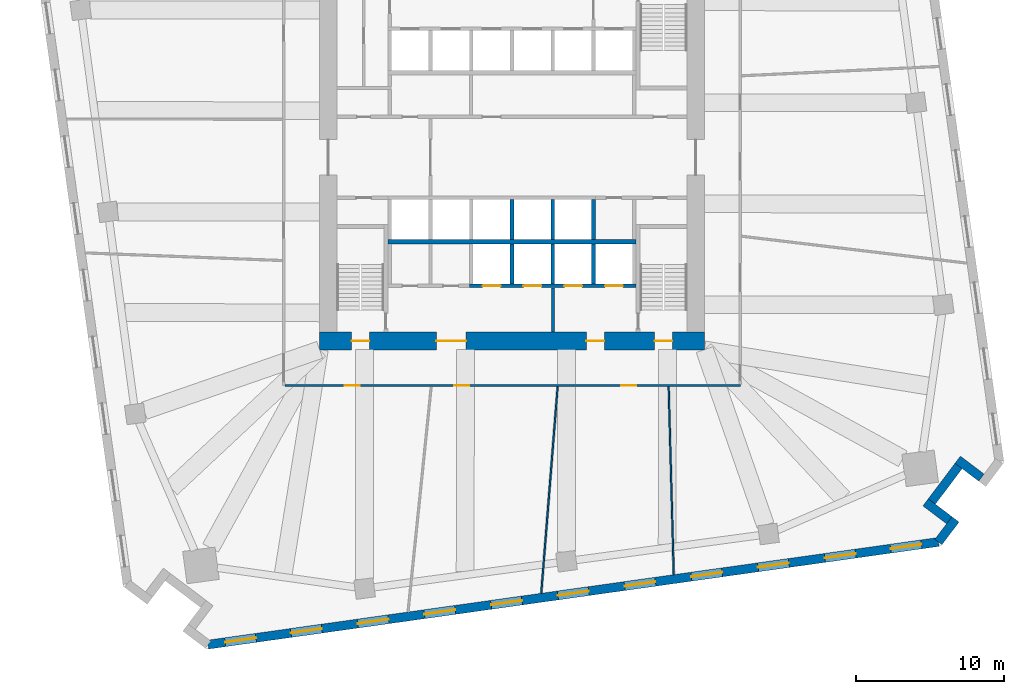
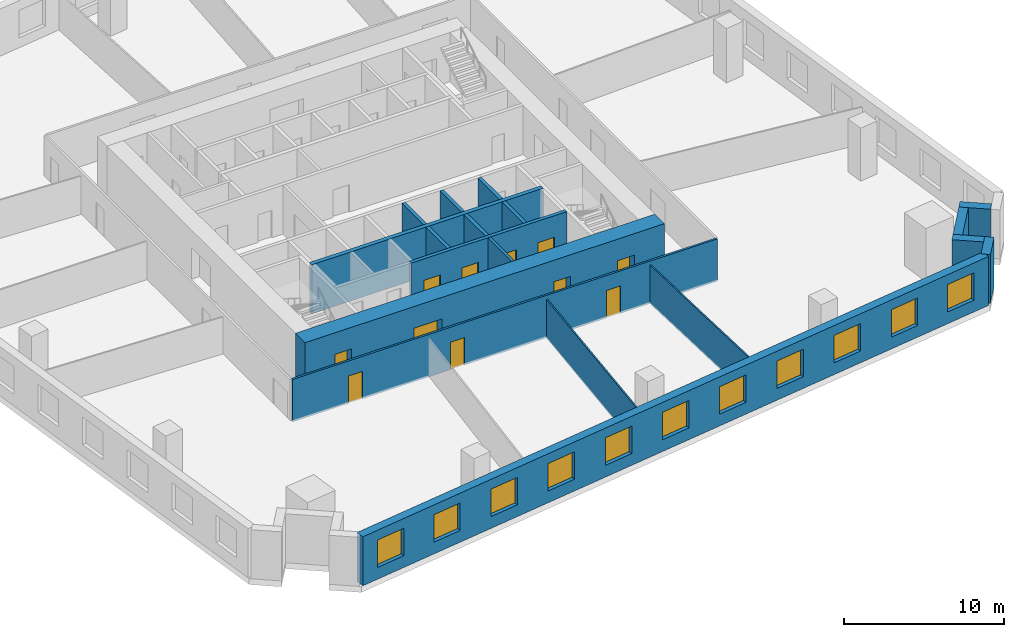
# One storey, part 6 of 12: 18 walls, 11 doors, 11 windows, 22 openings.
"""IFC4 building model written with IfcOpenShell, lengths in metres."""

from ifc_helpers import new_model, si_unit, direction, frame, frame_2d, origin, place, context, subcontext, project, spatial, rectangle, extrude, material, layer, layer_set, type_object, element, fill, save


model = new_model("IFC4")

# Units and contexts
model_context = context("Model", 3, precision=1e-05, world=origin(), true_north=direction((0.0, 1.0)))
body_context = subcontext(model_context, "Body", "Model", "MODEL_VIEW")
ifc_project = project(units=[si_unit("LENGTHUNIT", "METRE"), si_unit("AREAUNIT", "SQUARE_METRE"), si_unit("VOLUMEUNIT", "CUBIC_METRE"), si_unit("PLANEANGLEUNIT", "RADIAN"), si_unit("MASSUNIT", "GRAM", prefix="KILO")], contexts=[model_context])

# Site, building, storey
site_placement = place(None, origin())
site = spatial("IfcSite", under=ifc_project, at=site_placement, CompositionType="ELEMENT")
building_placement = place(site_placement, origin())
building = spatial("IfcBuilding", under=site, at=building_placement, Name="Dilmun Exchange Tower", CompositionType="ELEMENT")
storey_placement = place(building_placement, frame((0.0, 0.0, 55.5)))
storey = spatial("IfcBuildingStorey", under=building, at=storey_placement, Name="L12", CompositionType="ELEMENT", Elevation=55.5)

# Wall
ifc_material_1 = material(Name="Concrete C40/50", Category="concrete")
ifc_layer_1 = layer(ifc_material_1, 0.199951171875)
ifc_layer_set_1 = layer_set([ifc_layer_1], Name="Concrete C40/50")
wall_type_1 = type_object("IfcWallType", Name="Core partition wall 200", PredefinedType="PARTITIONING", material=ifc_layer_set_1)
wall_1_placement = place(storey_placement, frame((2.75, -11.794921875, 0.0), z_axis=(0.0, 0.0, 1.0), x_axis=(0.0, 1.0, 0.0)))
element("IfcWall", 1, at=wall_1_placement, inside=storey, type_object=wall_type_1, Name="L12 core partition wall 01", PredefinedType="PARTITIONING", context=body_context, shape_type="SweptSolid", body=[
    extrude(rectangle(XDim=2.989990234375, YDim=0.199951171875, at=frame_2d((1.4951171875, 0.0))), origin(), (0.0, 0.0, 1.0), 3.75),
])

# Wall, openings, doors
ifc_material_2 = material(Name="Concrete C80/95", Category="concrete")
ifc_layer_2 = layer(ifc_material_2, 1.199951171875)
ifc_layer_set_2 = layer_set([ifc_layer_2], Name="Concrete C80/95")
wall_type_2 = type_object("IfcWallType", Name="Core shear wall 1200 Concrete C80/95", PredefinedType="SHEAR", material=ifc_layer_set_2)
wall_2_placement = place(storey_placement, frame((-13.0, -12.39990234375, 0.0), z_axis=(0.0, 0.0, 1.0), x_axis=(1.0, 0.0, 0.0)))
wall_2 = element("IfcWall", 2, at=wall_2_placement, inside=storey, type_object=wall_type_2, Name="L12 core shear wall S", PredefinedType="SHEAR", context=body_context, shape_type="SweptSolid", body=[
    extrude(rectangle(XDim=26.0, YDim=1.199951171875, at=frame_2d((13.0, 0.0))), origin(), (0.0, 0.0, 1.0), 3.75),
])
opening_1_placement = place(wall_2_placement, frame((7.89990234375, 0.0, 0.0)))
opening_1 = element("IfcOpeningElement", 3, at=opening_1_placement, cuts=wall_2, Name="Opening CD2", PredefinedType="OPENING", context=body_context, shape_type="SweptSolid", body=[
    extrude(rectangle(XDim=2.0, YDim=2.10009765625, at=frame_2d((1.0, 1.050048828125))), frame((0.0, 0.60986328125, 0.0), z_axis=(0.0, -1.0, 0.0), x_axis=(1.0, 0.0, 0.0)), (0.0, 0.0, 1.0), 1.219970703125),
])
opening_2_placement = place(wall_2_placement, frame((18.02490234375, 0.0, 0.0)))
opening_2 = element("IfcOpeningElement", 4, at=opening_2_placement, cuts=wall_2, Name="Opening CD3", PredefinedType="OPENING", context=body_context, shape_type="SweptSolid", body=[
    extrude(rectangle(XDim=1.199951171875, YDim=2.10009765625, at=frame_2d((0.60009765625, 1.050048828125))), frame((0.0, 0.60986328125, 0.0), z_axis=(0.0, -1.0, 0.0), x_axis=(1.0, 0.0, 0.0)), (0.0, 0.0, 1.0), 1.219970703125),
])
opening_3_placement = place(wall_2_placement, frame((2.175048828125, 0.0, 0.0)))
opening_3 = element("IfcOpeningElement", 5, at=opening_3_placement, cuts=wall_2, Name="Opening CD3", PredefinedType="OPENING", context=body_context, shape_type="SweptSolid", body=[
    extrude(rectangle(XDim=1.199951171875, YDim=2.10009765625, at=frame_2d((0.60009765625, 1.050048828125))), frame((0.0, 0.60986328125, 0.0), z_axis=(0.0, -1.0, 0.0), x_axis=(1.0, 0.0, 0.0)), (0.0, 0.0, 1.0), 1.219970703125),
])
opening_4_placement = place(wall_2_placement, frame((22.625, 0.0, 0.0)))
opening_4 = element("IfcOpeningElement", 6, at=opening_4_placement, cuts=wall_2, Name="Opening CD3", PredefinedType="OPENING", context=body_context, shape_type="SweptSolid", body=[
    extrude(rectangle(XDim=1.199951171875, YDim=2.10009765625, at=frame_2d((0.60009765625, 1.050048828125))), frame((0.0, 0.60986328125, 0.0), z_axis=(0.0, -1.0, 0.0), x_axis=(1.0, 0.0, 0.0)), (0.0, 0.0, 1.0), 1.219970703125),
])
ifc_material_3 = material(Name="Fire-rated steel door set", Category="steel")
door_type_1 = type_object("IfcDoorType", Name="Core service door 2000x2100", OperationType="DOUBLE_DOOR_DOUBLE_SWING", PredefinedType="DOOR", material=ifc_material_3)
door_1_placement = place(opening_1_placement, origin())
door_1 = element("IfcDoor", 7, at=door_1_placement, inside=storey, type_object=door_type_1, Name="L12 door South service lobby", OperationType="SINGLE_SWING_LEFT", OverallHeight=2.10009765625, OverallWidth=2.0, PredefinedType="DOOR", context=body_context, shape_type="SweptSolid", body=[
    extrude(rectangle(XDim=2.0, YDim=2.10009765625, at=frame_2d((1.0, 1.050048828125))), frame((0.0, 0.02490234375, 0.0), z_axis=(0.0, -1.0, 0.0), x_axis=(1.0, 0.0, 0.0)), (0.0, 0.0, 1.0), 0.050048828125),
])
fill(opening_1, door_1)
door_type_2 = type_object("IfcDoorType", Name="Stair exit door 1200x2100", OperationType="SINGLE_SWING_LEFT", PredefinedType="DOOR", material=ifc_material_3)
door_2_placement = place(opening_2_placement, origin())
door_2 = element("IfcDoor", 8, at=door_2_placement, inside=storey, type_object=door_type_2, Name="L12 door Fire-fighting lobby", OperationType="SINGLE_SWING_LEFT", OverallHeight=2.10009765625, OverallWidth=1.199951171875, PredefinedType="DOOR", context=body_context, shape_type="SweptSolid", body=[
    extrude(rectangle(XDim=1.199951171875, YDim=2.10009765625, at=frame_2d((0.60009765625, 1.050048828125))), frame((0.0, 0.02490234375, 0.0), z_axis=(0.0, -1.0, 0.0), x_axis=(1.0, 0.0, 0.0)), (0.0, 0.0, 1.0), 0.050048828125),
])
fill(opening_2, door_2)
door_3_placement = place(opening_3_placement, origin())
door_3 = element("IfcDoor", 9, at=door_3_placement, inside=storey, type_object=door_type_2, Name="L12 door Stair ST2", OperationType="SINGLE_SWING_LEFT", OverallHeight=2.10009765625, OverallWidth=1.199951171875, PredefinedType="DOOR", context=body_context, shape_type="SweptSolid", body=[
    extrude(rectangle(XDim=1.199951171875, YDim=2.10009765625, at=frame_2d((0.60009765625, 1.050048828125))), frame((0.0, 0.02490234375, 0.0), z_axis=(0.0, -1.0, 0.0), x_axis=(1.0, 0.0, 0.0)), (0.0, 0.0, 1.0), 0.050048828125),
])
fill(opening_3, door_3)
door_4_placement = place(opening_4_placement, origin())
door_4 = element("IfcDoor", 10, at=door_4_placement, inside=storey, type_object=door_type_2, Name="L12 door Stair ST3", OperationType="SINGLE_SWING_LEFT", OverallHeight=2.10009765625, OverallWidth=1.199951171875, PredefinedType="DOOR", context=body_context, shape_type="SweptSolid", body=[
    extrude(rectangle(XDim=1.199951171875, YDim=2.10009765625, at=frame_2d((0.60009765625, 1.050048828125))), frame((0.0, 0.02490234375, 0.0), z_axis=(0.0, -1.0, 0.0), x_axis=(1.0, 0.0, 0.0)), (0.0, 0.0, 1.0), 0.050048828125),
])
fill(opening_4, door_4)

ifc_material_4 = material(Name="Corridor wall 150")
ifc_layer_3 = layer(ifc_material_4, 0.14990234375)
ifc_layer_set_3 = layer_set([ifc_layer_3], Name="Corridor wall 150")
wall_type_3 = type_object("IfcWallType", Name="Corridor wall 150", PredefinedType="PARTITIONING", material=ifc_layer_set_3)
wall_3_placement = place(storey_placement, frame((-15.324951171875, -15.39990234375, 0.0), z_axis=(0.0, 0.0, 1.0), x_axis=(1.0, 0.0, 0.0)))
wall_3 = element("IfcWall", 11, at=wall_3_placement, inside=storey, type_object=wall_type_3, Name="Corridor wall", PredefinedType="PARTITIONING", context=body_context, shape_type="SweptSolid", body=[
    extrude(rectangle(XDim=30.724853515625, YDim=0.14990234375, at=frame_2d((15.3623046875, 0.0))), origin(), (0.0, 0.0, 1.0), 3.25),
])
opening_5_placement = place(wall_3_placement, frame((4.050048828125, 0.0, 0.0)))
opening_5 = element("IfcOpeningElement", 12, at=opening_5_placement, cuts=wall_3, Name="Opening TF11-D06", PredefinedType="OPENING", context=body_context, shape_type="SweptSolid", body=[
    extrude(rectangle(XDim=1.0, YDim=2.10009765625, at=frame_2d((0.5, 1.050048828125))), frame((0.0, 0.0849609375, 0.0), z_axis=(0.0, -1.0, 0.0), x_axis=(1.0, 0.0, 0.0)), (0.0, 0.0, 1.0), 0.169921875),
])
opening_6_placement = place(wall_3_placement, frame((11.427978515625, 0.0, 0.0)))
opening_6 = element("IfcOpeningElement", 13, at=opening_6_placement, cuts=wall_3, Name="Opening TF11-D08", PredefinedType="OPENING", context=body_context, shape_type="SweptSolid", body=[
    extrude(rectangle(XDim=1.0, YDim=2.10009765625, at=frame_2d((0.5, 1.050048828125))), frame((0.0, 0.0849609375, 0.0), z_axis=(0.0, -1.0, 0.0), x_axis=(1.0, 0.0, 0.0)), (0.0, 0.0, 1.0), 0.169921875),
])
opening_7_placement = place(wall_3_placement, frame((22.707275390625, 0.0, 0.0)))
opening_7 = element("IfcOpeningElement", 14, at=opening_7_placement, cuts=wall_3, Name="Opening TF11-D10", PredefinedType="OPENING", context=body_context, shape_type="SweptSolid", body=[
    extrude(rectangle(XDim=1.0, YDim=2.10009765625, at=frame_2d((0.5, 1.050048828125))), frame((0.0, 0.0849609375, 0.0), z_axis=(0.0, -1.0, 0.0), x_axis=(1.0, 0.0, 0.0)), (0.0, 0.0, 1.0), 0.169921875),
])
ifc_material_5 = material(Name="Fire door 1000 x 2100")
door_type_3 = type_object("IfcDoorType", Name="Fire door 1000 x 2100", OperationType="NOTDEFINED", PredefinedType="DOOR", material=ifc_material_5)
door_5_placement = place(opening_5_placement, frame((1.0, 0.0, 0.0), z_axis=(0.0, 0.0, 1.0), x_axis=(-1.0, 0.0, 0.0)))
door_5 = element("IfcDoor", 15, at=door_5_placement, inside=storey, type_object=door_type_3, Name="Door TF11-D06", OperationType="SINGLE_SWING_LEFT", OverallHeight=2.10009765625, OverallWidth=1.0, PredefinedType="DOOR", context=body_context, shape_type="SweptSolid", body=[
    extrude(rectangle(XDim=1.0, YDim=2.10009765625, at=frame_2d((0.5, 1.050048828125))), frame((0.0, 0.02490234375, 0.0), z_axis=(0.0, -1.0, 0.0), x_axis=(1.0, 0.0, 0.0)), (0.0, 0.0, 1.0), 0.050048828125),
])
fill(opening_5, door_5)
door_6_placement = place(opening_6_placement, frame((1.0, 0.0, 0.0), z_axis=(0.0, 0.0, 1.0), x_axis=(-1.0, 0.0, 0.0)))
door_6 = element("IfcDoor", 16, at=door_6_placement, inside=storey, type_object=door_type_3, Name="Door TF11-D08", OperationType="SINGLE_SWING_RIGHT", OverallHeight=2.10009765625, OverallWidth=1.0, PredefinedType="DOOR", context=body_context, shape_type="SweptSolid", body=[
    extrude(rectangle(XDim=1.0, YDim=2.10009765625, at=frame_2d((0.5, 1.050048828125))), frame((0.0, 0.02490234375, 0.0), z_axis=(0.0, -1.0, 0.0), x_axis=(1.0, 0.0, 0.0)), (0.0, 0.0, 1.0), 0.050048828125),
])
fill(opening_6, door_6)
door_7_placement = place(opening_7_placement, frame((1.0, 0.0, 0.0), z_axis=(0.0, 0.0, 1.0), x_axis=(-1.0, 0.0, 0.0)))
door_7 = element("IfcDoor", 17, at=door_7_placement, inside=storey, type_object=door_type_3, Name="Door TF11-D10", OperationType="SINGLE_SWING_LEFT", OverallHeight=2.10009765625, OverallWidth=1.0, PredefinedType="DOOR", context=body_context, shape_type="SweptSolid", body=[
    extrude(rectangle(XDim=1.0, YDim=2.10009765625, at=frame_2d((0.5, 1.050048828125))), frame((0.0, 0.02490234375, 0.0), z_axis=(0.0, -1.0, 0.0), x_axis=(1.0, 0.0, 0.0)), (0.0, 0.0, 1.0), 0.050048828125),
])
fill(opening_7, door_7)

# Walls
ifc_layer_4 = layer(ifc_material_1, 0.300048828125)
ifc_layer_set_4 = layer_set([ifc_layer_4], Name="Concrete C40/50")
wall_type_4 = type_object("IfcWallType", Name="Lift shaft shared wall 300", PredefinedType="SOLIDWALL", material=ifc_layer_set_4)
wall_4_placement = place(storey_placement, frame((-8.375, -5.699951171875, 0.0), z_axis=(0.0, 0.0, 1.0), x_axis=(1.0, 0.0, 0.0)))
element("IfcWall", 18, at=wall_4_placement, inside=storey, type_object=wall_type_4, Name="L12 lift shaft rear wall S", PredefinedType="SOLIDWALL", context=body_context, shape_type="SweptSolid", body=[
    extrude(rectangle(XDim=16.75, YDim=0.300048828125, at=frame_2d((8.375, 0.0))), origin(), (0.0, 0.0, 1.0), 3.75),
])
ifc_layer_5 = layer(ifc_material_1, 0.25)
ifc_layer_set_5 = layer_set([ifc_layer_5], Name="Concrete C40/50")
wall_type_5 = type_object("IfcWallType", Name="Lift shaft wall 250", PredefinedType="SOLIDWALL", material=ifc_layer_set_5)
for number, where, z_axis, x_axis, name in (
    (19, (0.0, -5.550048828125, 0.0), (0.0, 0.0, 1.0), (0.0, 1.0, 0.0), "L12 lift shaft divider S13"),
    (20, (2.75, -5.550048828125, 0.0), (0.0, 0.0, 1.0), (0.0, 1.0, 0.0), "L12 lift shaft divider S14"),
    (21, (5.5, -5.550048828125, 0.0), (0.0, 0.0, 1.0), (0.0, 1.0, 0.0), "L12 lift shaft divider S15"),
):
    element("IfcWall", number, at=place(storey_placement, frame(where, z_axis=z_axis, x_axis=x_axis)), inside=storey, type_object=wall_type_5, Name=name, PredefinedType="SOLIDWALL", context=body_context, shape_type="SweptSolid", body=[
        extrude(rectangle(XDim=2.699951171875, YDim=0.25, at=frame_2d((1.35009765625, 0.0))), origin(), (0.0, 0.0, 1.0), 3.75),
    ])

# Wall, openings, doors
wall_5_placement = place(storey_placement, frame((-2.875, -8.675048828125, 0.0), z_axis=(0.0, 0.0, 1.0), x_axis=(1.0, 0.0, 0.0)))
wall_5 = element("IfcWall", 22, at=wall_5_placement, inside=storey, type_object=wall_type_5, Name="L12 lift shaft front wall S2", PredefinedType="SOLIDWALL", context=body_context, shape_type="SweptSolid", body=[
    extrude(rectangle(XDim=11.25, YDim=0.25, at=frame_2d((5.625, 0.0))), origin(), (0.0, 0.0, 1.0), 3.75),
])
opening_8_placement = place(wall_5_placement, frame((0.89990234375, 0.0, 0.0)))
opening_8 = element("IfcOpeningElement", 23, at=opening_8_placement, cuts=wall_5, Name="Opening LD", PredefinedType="OPENING", context=body_context, shape_type="SweptSolid", body=[
    extrude(rectangle(XDim=1.199951171875, YDim=2.10009765625, at=frame_2d((0.60009765625, 1.050048828125))), frame((0.0, 0.135009765625, 0.0), z_axis=(0.0, -1.0, 0.0), x_axis=(1.0, 0.0, 0.0)), (0.0, 0.0, 1.0), 0.27001953125),
])
opening_9_placement = place(wall_5_placement, frame((3.64990234375, 0.0, 0.0)))
opening_9 = element("IfcOpeningElement", 24, at=opening_9_placement, cuts=wall_5, Name="Opening LD", PredefinedType="OPENING", context=body_context, shape_type="SweptSolid", body=[
    extrude(rectangle(XDim=1.199951171875, YDim=2.10009765625, at=frame_2d((0.60009765625, 1.050048828125))), frame((0.0, 0.135009765625, 0.0), z_axis=(0.0, -1.0, 0.0), x_axis=(1.0, 0.0, 0.0)), (0.0, 0.0, 1.0), 0.27001953125),
])
opening_10_placement = place(wall_5_placement, frame((6.39990234375, 0.0, 0.0)))
opening_10 = element("IfcOpeningElement", 25, at=opening_10_placement, cuts=wall_5, Name="Opening LD", PredefinedType="OPENING", context=body_context, shape_type="SweptSolid", body=[
    extrude(rectangle(XDim=1.199951171875, YDim=2.10009765625, at=frame_2d((0.60009765625, 1.050048828125))), frame((0.0, 0.135009765625, 0.0), z_axis=(0.0, -1.0, 0.0), x_axis=(1.0, 0.0, 0.0)), (0.0, 0.0, 1.0), 0.27001953125),
])
opening_11_placement = place(wall_5_placement, frame((9.14990234375, 0.0, 0.0)))
opening_11 = element("IfcOpeningElement", 26, at=opening_11_placement, cuts=wall_5, Name="Opening LD", PredefinedType="OPENING", context=body_context, shape_type="SweptSolid", body=[
    extrude(rectangle(XDim=1.199951171875, YDim=2.10009765625, at=frame_2d((0.60009765625, 1.050048828125))), frame((0.0, 0.135009765625, 0.0), z_axis=(0.0, -1.0, 0.0), x_axis=(1.0, 0.0, 0.0)), (0.0, 0.0, 1.0), 0.27001953125),
])
door_type_4 = type_object("IfcDoorType", Name="Lift landing door 1200x2100", OperationType="DOUBLE_DOOR_SLIDING", PredefinedType="DOOR", material=ifc_material_3)
door_8_placement = place(opening_8_placement, origin())
door_8 = element("IfcDoor", 27, at=door_8_placement, inside=storey, type_object=door_type_4, Name="L12 landing door SV1", OperationType="DOUBLE_DOOR_SLIDING", OverallHeight=2.10009765625, OverallWidth=1.199951171875, PredefinedType="DOOR", context=body_context, shape_type="SweptSolid", body=[
    extrude(rectangle(XDim=1.199951171875, YDim=2.10009765625, at=frame_2d((0.60009765625, 1.050048828125))), frame((0.0, 0.02490234375, 0.0), z_axis=(0.0, -1.0, 0.0), x_axis=(1.0, 0.0, 0.0)), (0.0, 0.0, 1.0), 0.050048828125),
])
fill(opening_8, door_8)
door_9_placement = place(opening_9_placement, origin())
door_9 = element("IfcDoor", 28, at=door_9_placement, inside=storey, type_object=door_type_4, Name="L12 landing door SV2", OperationType="DOUBLE_DOOR_SLIDING", OverallHeight=2.10009765625, OverallWidth=1.199951171875, PredefinedType="DOOR", context=body_context, shape_type="SweptSolid", body=[
    extrude(rectangle(XDim=1.199951171875, YDim=2.10009765625, at=frame_2d((0.60009765625, 1.050048828125))), frame((0.0, 0.02490234375, 0.0), z_axis=(0.0, -1.0, 0.0), x_axis=(1.0, 0.0, 0.0)), (0.0, 0.0, 1.0), 0.050048828125),
])
fill(opening_9, door_9)
door_10_placement = place(opening_10_placement, origin())
door_10 = element("IfcDoor", 29, at=door_10_placement, inside=storey, type_object=door_type_4, Name="L12 landing door FF1", OperationType="DOUBLE_DOOR_SLIDING", OverallHeight=2.10009765625, OverallWidth=1.199951171875, PredefinedType="DOOR", context=body_context, shape_type="SweptSolid", body=[
    extrude(rectangle(XDim=1.199951171875, YDim=2.10009765625, at=frame_2d((0.60009765625, 1.050048828125))), frame((0.0, 0.02490234375, 0.0), z_axis=(0.0, -1.0, 0.0), x_axis=(1.0, 0.0, 0.0)), (0.0, 0.0, 1.0), 0.050048828125),
])
fill(opening_10, door_10)
door_11_placement = place(opening_11_placement, origin())
door_11 = element("IfcDoor", 30, at=door_11_placement, inside=storey, type_object=door_type_4, Name="L12 landing door FF2", OperationType="DOUBLE_DOOR_SLIDING", OverallHeight=2.10009765625, OverallWidth=1.199951171875, PredefinedType="DOOR", context=body_context, shape_type="SweptSolid", body=[
    extrude(rectangle(XDim=1.199951171875, YDim=2.10009765625, at=frame_2d((0.60009765625, 1.050048828125))), frame((0.0, 0.02490234375, 0.0), z_axis=(0.0, -1.0, 0.0), x_axis=(1.0, 0.0, 0.0)), (0.0, 0.0, 1.0), 0.050048828125),
])
fill(opening_11, door_11)

# Walls
for number, where, z_axis, x_axis, name in (
    (31, (0.0, -8.550048828125, 0.0), (0.0, 0.0, 1.0), (0.0, 1.0, 0.0), "L12 lift shaft divider S23"),
    (32, (2.75, -8.550048828125, 0.0), (0.0, 0.0, 1.0), (0.0, 1.0, 0.0), "L12 lift shaft divider S24"),
    (33, (5.5, -8.550048828125, 0.0), (0.0, 0.0, 1.0), (0.0, 1.0, 0.0), "L12 lift shaft divider S25"),
):
    element("IfcWall", number, at=place(storey_placement, frame(where, z_axis=z_axis, x_axis=x_axis)), inside=storey, type_object=wall_type_5, Name=name, PredefinedType="SOLIDWALL", context=body_context, shape_type="SweptSolid", body=[
        extrude(rectangle(XDim=2.699951171875, YDim=0.25, at=frame_2d((1.35009765625, 0.0))), origin(), (0.0, 0.0, 1.0), 3.75),
    ])
ifc_material_6 = material(Name="Partition 100")
ifc_layer_6 = layer(ifc_material_6, 0.10009765625)
ifc_layer_set_6 = layer_set([ifc_layer_6], Name="Partition 100")
wall_type_6 = type_object("IfcWallType", Name="Partition 100", PredefinedType="PARTITIONING", material=ifc_layer_set_6)
wall_6_placement = place(storey_placement, frame((1.972900390625, -29.40966796875, 0.0), z_axis=(0.0, 0.0, 1.0), x_axis=(0.079123741472, 0.996864802035, 0.0)))
element("IfcWall", 34, at=wall_6_placement, inside=storey, type_object=wall_type_6, Name="Partition", PredefinedType="PARTITIONING", context=body_context, shape_type="SweptSolid", body=[
    extrude(rectangle(XDim=13.974365234375, YDim=0.10009765625, at=frame_2d((6.9873046875, 0.0))), origin(), (0.0, 0.0, 1.0), 2.949951171875),
])
wall_7_placement = place(storey_placement, frame((10.566162109375, -15.476318359375, 0.0), z_axis=(0.0, 0.0, 1.0), x_axis=(0.027144021526, -0.999631533164, 0.0)))
element("IfcWall", 35, at=wall_7_placement, inside=storey, type_object=wall_type_6, Name="Partition", PredefinedType="PARTITIONING", context=body_context, shape_type="SweptSolid", body=[
    extrude(rectangle(XDim=12.681884765625, YDim=0.10009765625, at=frame_2d((6.3408203125, 0.0))), origin(), (0.0, 0.0, 1.0), 2.949951171875),
])

# Wall, openings, windows
ifc_material_7 = material(Name="Precast concrete C50/60", Category="concrete")
ifc_layer_7 = layer(ifc_material_7, 0.60009765625)
ifc_layer_set_7 = layer_set([ifc_layer_7], Name="Precast concrete C50/60")
wall_type_7 = type_object("IfcWallType", Name="Precast stone-clad wall 600", PredefinedType="STANDARD", material=ifc_layer_set_7)
wall_8_placement = place(storey_placement, frame((-20.500244140625, -32.873046875, 0.0), z_axis=(0.0, 0.0, 1.0), x_axis=(0.990268068675, 0.139173101431, 0.0)))
wall_8 = element("IfcWall", 36, at=wall_8_placement, inside=storey, type_object=wall_type_7, Name="Facade wall L12-15", PredefinedType="STANDARD", context=body_context, shape_type="SweptSolid", body=[
    extrude(rectangle(XDim=49.75146484375, YDim=0.60009765625, at=frame_2d((24.875732421875, 0.0))), origin(), (0.0, 0.0, 1.0), 3.75),
])
opening_12_placement = place(wall_8_placement, frame((1.16064453125, 0.0, 0.89990234375)))
opening_12 = element("IfcOpeningElement", 37, at=opening_12_placement, cuts=wall_8, Name="Opening W210-210", PredefinedType="OPENING", context=body_context, shape_type="SweptSolid", body=[
    extrude(rectangle(XDim=2.10009765625, YDim=2.10009765625, at=frame_2d((1.050048828125, 1.050048828125))), frame((0.0, 0.31005859375, 0.0), z_axis=(0.0, -1.0, 0.0), x_axis=(1.0, 0.0, 0.0)), (0.0, 0.0, 1.0), 0.6201171875),
])
opening_13_placement = place(wall_8_placement, frame((5.643798828125, 0.0, 0.89990234375)))
opening_13 = element("IfcOpeningElement", 38, at=opening_13_placement, cuts=wall_8, Name="Opening W210-210", PredefinedType="OPENING", context=body_context, shape_type="SweptSolid", body=[
    extrude(rectangle(XDim=2.10009765625, YDim=2.10009765625, at=frame_2d((1.050048828125, 1.050048828125))), frame((0.0, 0.31005859375, 0.0), z_axis=(0.0, -1.0, 0.0), x_axis=(1.0, 0.0, 0.0)), (0.0, 0.0, 1.0), 0.6201171875),
])
opening_14_placement = place(wall_8_placement, frame((10.189453125, 0.0, 0.89990234375)))
opening_14 = element("IfcOpeningElement", 39, at=opening_14_placement, cuts=wall_8, Name="Opening W210-210", PredefinedType="OPENING", context=body_context, shape_type="SweptSolid", body=[
    extrude(rectangle(XDim=2.10009765625, YDim=2.10009765625, at=frame_2d((1.050048828125, 1.050048828125))), frame((0.0, 0.31005859375, 0.0), z_axis=(0.0, -1.0, 0.0), x_axis=(1.0, 0.0, 0.0)), (0.0, 0.0, 1.0), 0.6201171875),
])
opening_15_placement = place(wall_8_placement, frame((14.73486328125, 0.0, 0.89990234375)))
opening_15 = element("IfcOpeningElement", 40, at=opening_15_placement, cuts=wall_8, Name="Opening W210-210", PredefinedType="OPENING", context=body_context, shape_type="SweptSolid", body=[
    extrude(rectangle(XDim=2.10009765625, YDim=2.10009765625, at=frame_2d((1.050048828125, 1.050048828125))), frame((0.0, 0.31005859375, 0.0), z_axis=(0.0, -1.0, 0.0), x_axis=(1.0, 0.0, 0.0)), (0.0, 0.0, 1.0), 0.6201171875),
])
opening_16_placement = place(wall_8_placement, frame((19.2802734375, 0.0, 0.89990234375)))
opening_16 = element("IfcOpeningElement", 41, at=opening_16_placement, cuts=wall_8, Name="Opening W210-210", PredefinedType="OPENING", context=body_context, shape_type="SweptSolid", body=[
    extrude(rectangle(XDim=2.10009765625, YDim=2.10009765625, at=frame_2d((1.050048828125, 1.050048828125))), frame((0.0, 0.31005859375, 0.0), z_axis=(0.0, -1.0, 0.0), x_axis=(1.0, 0.0, 0.0)), (0.0, 0.0, 1.0), 0.6201171875),
])
opening_17_placement = place(wall_8_placement, frame((23.82568359375, 0.0, 0.89990234375)))
opening_17 = element("IfcOpeningElement", 42, at=opening_17_placement, cuts=wall_8, Name="Opening W210-210", PredefinedType="OPENING", context=body_context, shape_type="SweptSolid", body=[
    extrude(rectangle(XDim=2.10009765625, YDim=2.10009765625, at=frame_2d((1.050048828125, 1.050048828125))), frame((0.0, 0.31005859375, 0.0), z_axis=(0.0, -1.0, 0.0), x_axis=(1.0, 0.0, 0.0)), (0.0, 0.0, 1.0), 0.6201171875),
])
opening_18_placement = place(wall_8_placement, frame((28.37109375, 0.0, 0.89990234375)))
opening_18 = element("IfcOpeningElement", 43, at=opening_18_placement, cuts=wall_8, Name="Opening W210-210", PredefinedType="OPENING", context=body_context, shape_type="SweptSolid", body=[
    extrude(rectangle(XDim=2.10009765625, YDim=2.10009765625, at=frame_2d((1.050048828125, 1.050048828125))), frame((0.0, 0.31005859375, 0.0), z_axis=(0.0, -1.0, 0.0), x_axis=(1.0, 0.0, 0.0)), (0.0, 0.0, 1.0), 0.6201171875),
])
opening_19_placement = place(wall_8_placement, frame((32.91650390625, 0.0, 0.89990234375)))
opening_19 = element("IfcOpeningElement", 44, at=opening_19_placement, cuts=wall_8, Name="Opening W210-210", PredefinedType="OPENING", context=body_context, shape_type="SweptSolid", body=[
    extrude(rectangle(XDim=2.10009765625, YDim=2.10009765625, at=frame_2d((1.050048828125, 1.050048828125))), frame((0.0, 0.31005859375, 0.0), z_axis=(0.0, -1.0, 0.0), x_axis=(1.0, 0.0, 0.0)), (0.0, 0.0, 1.0), 0.6201171875),
])
opening_20_placement = place(wall_8_placement, frame((37.462158203125, 0.0, 0.89990234375)))
opening_20 = element("IfcOpeningElement", 45, at=opening_20_placement, cuts=wall_8, Name="Opening W210-210", PredefinedType="OPENING", context=body_context, shape_type="SweptSolid", body=[
    extrude(rectangle(XDim=2.10009765625, YDim=2.10009765625, at=frame_2d((1.050048828125, 1.050048828125))), frame((0.0, 0.31005859375, 0.0), z_axis=(0.0, -1.0, 0.0), x_axis=(1.0, 0.0, 0.0)), (0.0, 0.0, 1.0), 0.6201171875),
])
opening_21_placement = place(wall_8_placement, frame((42.007568359375, 0.0, 0.89990234375)))
opening_21 = element("IfcOpeningElement", 46, at=opening_21_placement, cuts=wall_8, Name="Opening W210-210", PredefinedType="OPENING", context=body_context, shape_type="SweptSolid", body=[
    extrude(rectangle(XDim=2.10009765625, YDim=2.10009765625, at=frame_2d((1.050048828125, 1.050048828125))), frame((0.0, 0.31005859375, 0.0), z_axis=(0.0, -1.0, 0.0), x_axis=(1.0, 0.0, 0.0)), (0.0, 0.0, 1.0), 0.6201171875),
])
opening_22_placement = place(wall_8_placement, frame((46.490966796875, 0.0, 0.89990234375)))
opening_22 = element("IfcOpeningElement", 47, at=opening_22_placement, cuts=wall_8, Name="Opening W210-210", PredefinedType="OPENING", context=body_context, shape_type="SweptSolid", body=[
    extrude(rectangle(XDim=2.10009765625, YDim=2.10009765625, at=frame_2d((1.050048828125, 1.050048828125))), frame((0.0, 0.31005859375, 0.0), z_axis=(0.0, -1.0, 0.0), x_axis=(1.0, 0.0, 0.0)), (0.0, 0.0, 1.0), 0.6201171875),
])
ifc_material_8 = material(Name="Clear low-emissivity glass in aluminium frame", Category="aluminium")
window_type = type_object("IfcWindowType", Name="Punched window 2100 x 2100", PartitioningType="DOUBLE_PANEL_VERTICAL", PredefinedType="WINDOW", material=ifc_material_8)
window_1_placement = place(opening_12_placement, origin())
window_1 = element("IfcWindow", 48, at=window_1_placement, inside=storey, type_object=window_type, Name="Window 16.1", OverallHeight=2.10009765625, OverallWidth=2.10009765625, PartitioningType="SINGLE_PANEL", PredefinedType="WINDOW", context=body_context, shape_type="SweptSolid", body=[
    extrude(rectangle(XDim=2.10009765625, YDim=2.10009765625, at=frame_2d((1.050048828125, 1.050048828125))), frame((0.0, 0.030029296875, 0.0), z_axis=(0.0, -1.0, 0.0), x_axis=(1.0, 0.0, 0.0)), (0.0, 0.0, 1.0), 0.06005859375),
])
fill(opening_12, window_1)
window_2_placement = place(opening_13_placement, origin())
window_2 = element("IfcWindow", 49, at=window_2_placement, inside=storey, type_object=window_type, Name="Window 16.2", OverallHeight=2.10009765625, OverallWidth=2.10009765625, PartitioningType="SINGLE_PANEL", PredefinedType="WINDOW", context=body_context, shape_type="SweptSolid", body=[
    extrude(rectangle(XDim=2.10009765625, YDim=2.10009765625, at=frame_2d((1.050048828125, 1.050048828125))), frame((0.0, 0.030029296875, 0.0), z_axis=(0.0, -1.0, 0.0), x_axis=(1.0, 0.0, 0.0)), (0.0, 0.0, 1.0), 0.06005859375),
])
fill(opening_13, window_2)
window_3_placement = place(opening_14_placement, origin())
window_3 = element("IfcWindow", 50, at=window_3_placement, inside=storey, type_object=window_type, Name="Window 16.3", OverallHeight=2.10009765625, OverallWidth=2.10009765625, PartitioningType="SINGLE_PANEL", PredefinedType="WINDOW", context=body_context, shape_type="SweptSolid", body=[
    extrude(rectangle(XDim=2.10009765625, YDim=2.10009765625, at=frame_2d((1.050048828125, 1.050048828125))), frame((0.0, 0.030029296875, 0.0), z_axis=(0.0, -1.0, 0.0), x_axis=(1.0, 0.0, 0.0)), (0.0, 0.0, 1.0), 0.06005859375),
])
fill(opening_14, window_3)
window_4_placement = place(opening_15_placement, origin())
window_4 = element("IfcWindow", 51, at=window_4_placement, inside=storey, type_object=window_type, Name="Window 16.4", OverallHeight=2.10009765625, OverallWidth=2.10009765625, PartitioningType="SINGLE_PANEL", PredefinedType="WINDOW", context=body_context, shape_type="SweptSolid", body=[
    extrude(rectangle(XDim=2.10009765625, YDim=2.10009765625, at=frame_2d((1.050048828125, 1.050048828125))), frame((0.0, 0.030029296875, 0.0), z_axis=(0.0, -1.0, 0.0), x_axis=(1.0, 0.0, 0.0)), (0.0, 0.0, 1.0), 0.06005859375),
])
fill(opening_15, window_4)
window_5_placement = place(opening_16_placement, origin())
window_5 = element("IfcWindow", 52, at=window_5_placement, inside=storey, type_object=window_type, Name="Window 16.5", OverallHeight=2.10009765625, OverallWidth=2.10009765625, PartitioningType="SINGLE_PANEL", PredefinedType="WINDOW", context=body_context, shape_type="SweptSolid", body=[
    extrude(rectangle(XDim=2.10009765625, YDim=2.10009765625, at=frame_2d((1.050048828125, 1.050048828125))), frame((0.0, 0.030029296875, 0.0), z_axis=(0.0, -1.0, 0.0), x_axis=(1.0, 0.0, 0.0)), (0.0, 0.0, 1.0), 0.06005859375),
])
fill(opening_16, window_5)
window_6_placement = place(opening_17_placement, origin())
window_6 = element("IfcWindow", 53, at=window_6_placement, inside=storey, type_object=window_type, Name="Window 16.6", OverallHeight=2.10009765625, OverallWidth=2.10009765625, PartitioningType="SINGLE_PANEL", PredefinedType="WINDOW", context=body_context, shape_type="SweptSolid", body=[
    extrude(rectangle(XDim=2.10009765625, YDim=2.10009765625, at=frame_2d((1.050048828125, 1.050048828125))), frame((0.0, 0.030029296875, 0.0), z_axis=(0.0, -1.0, 0.0), x_axis=(1.0, 0.0, 0.0)), (0.0, 0.0, 1.0), 0.06005859375),
])
fill(opening_17, window_6)
window_7_placement = place(opening_18_placement, origin())
window_7 = element("IfcWindow", 54, at=window_7_placement, inside=storey, type_object=window_type, Name="Window 16.7", OverallHeight=2.10009765625, OverallWidth=2.10009765625, PartitioningType="SINGLE_PANEL", PredefinedType="WINDOW", context=body_context, shape_type="SweptSolid", body=[
    extrude(rectangle(XDim=2.10009765625, YDim=2.10009765625, at=frame_2d((1.050048828125, 1.050048828125))), frame((0.0, 0.030029296875, 0.0), z_axis=(0.0, -1.0, 0.0), x_axis=(1.0, 0.0, 0.0)), (0.0, 0.0, 1.0), 0.06005859375),
])
fill(opening_18, window_7)
window_8_placement = place(opening_19_placement, origin())
window_8 = element("IfcWindow", 55, at=window_8_placement, inside=storey, type_object=window_type, Name="Window 16.8", OverallHeight=2.10009765625, OverallWidth=2.10009765625, PartitioningType="SINGLE_PANEL", PredefinedType="WINDOW", context=body_context, shape_type="SweptSolid", body=[
    extrude(rectangle(XDim=2.10009765625, YDim=2.10009765625, at=frame_2d((1.050048828125, 1.050048828125))), frame((0.0, 0.030029296875, 0.0), z_axis=(0.0, -1.0, 0.0), x_axis=(1.0, 0.0, 0.0)), (0.0, 0.0, 1.0), 0.06005859375),
])
fill(opening_19, window_8)
window_9_placement = place(opening_20_placement, origin())
window_9 = element("IfcWindow", 56, at=window_9_placement, inside=storey, type_object=window_type, Name="Window 16.9", OverallHeight=2.10009765625, OverallWidth=2.10009765625, PartitioningType="SINGLE_PANEL", PredefinedType="WINDOW", context=body_context, shape_type="SweptSolid", body=[
    extrude(rectangle(XDim=2.10009765625, YDim=2.10009765625, at=frame_2d((1.050048828125, 1.050048828125))), frame((0.0, 0.030029296875, 0.0), z_axis=(0.0, -1.0, 0.0), x_axis=(1.0, 0.0, 0.0)), (0.0, 0.0, 1.0), 0.06005859375),
])
fill(opening_20, window_9)
window_10_placement = place(opening_21_placement, origin())
window_10 = element("IfcWindow", 57, at=window_10_placement, inside=storey, type_object=window_type, Name="Window 16.10", OverallHeight=2.10009765625, OverallWidth=2.10009765625, PartitioningType="SINGLE_PANEL", PredefinedType="WINDOW", context=body_context, shape_type="SweptSolid", body=[
    extrude(rectangle(XDim=2.10009765625, YDim=2.10009765625, at=frame_2d((1.050048828125, 1.050048828125))), frame((0.0, 0.030029296875, 0.0), z_axis=(0.0, -1.0, 0.0), x_axis=(1.0, 0.0, 0.0)), (0.0, 0.0, 1.0), 0.06005859375),
])
fill(opening_21, window_10)
window_11_placement = place(opening_22_placement, origin())
window_11 = element("IfcWindow", 58, at=window_11_placement, inside=storey, type_object=window_type, Name="Window 16.11", OverallHeight=2.10009765625, OverallWidth=2.10009765625, PartitioningType="SINGLE_PANEL", PredefinedType="WINDOW", context=body_context, shape_type="SweptSolid", body=[
    extrude(rectangle(XDim=2.10009765625, YDim=2.10009765625, at=frame_2d((1.050048828125, 1.050048828125))), frame((0.0, 0.030029296875, 0.0), z_axis=(0.0, -1.0, 0.0), x_axis=(1.0, 0.0, 0.0)), (0.0, 0.0, 1.0), 0.06005859375),
])
fill(opening_22, window_11)

# Walls
wall_9_placement = place(storey_placement, frame((28.76708984375, -25.948974609375, 0.0), z_axis=(0.0, 0.0, 1.0), x_axis=(0.601797104511, 0.798649012397, 0.0)))
element("IfcWall", 59, at=wall_9_placement, inside=storey, type_object=wall_type_7, Name="Facade wall L12-16", PredefinedType="STANDARD", context=body_context, shape_type="SweptSolid", body=[
    extrude(rectangle(XDim=1.9111328125, YDim=0.60009765625, at=frame_2d((0.95556640625, 0.0))), origin(), (0.0, 0.0, 1.0), 3.75),
])
wall_10_placement = place(storey_placement, frame((29.497314453125, -24.481689453125, 0.0), z_axis=(0.0, 0.0, 1.0), x_axis=(-0.798606420838, 0.601853623896, 0.0)))
element("IfcWall", 60, at=wall_10_placement, inside=storey, type_object=wall_type_7, Name="Facade wall L12-17", PredefinedType="STANDARD", context=body_context, shape_type="SweptSolid", body=[
    extrude(rectangle(XDim=2.000244140625, YDim=0.60009765625, at=frame_2d((1.0, 0.0))), origin(), (0.0, 0.0, 1.0), 3.75),
])
wall_11_placement = place(storey_placement, frame((28.320068359375, -23.218994140625, 0.0), z_axis=(0.0, 0.0, 1.0), x_axis=(0.601795327796, 0.798650351182, 0.0)))
element("IfcWall", 61, at=wall_11_placement, inside=storey, type_object=wall_type_7, Name="Facade wall L12-18", PredefinedType="STANDARD", context=body_context, shape_type="SweptSolid", body=[
    extrude(rectangle(XDim=3.0, YDim=0.60009765625, at=frame_2d((1.5, 0.0))), origin(), (0.0, 0.0, 1.0), 3.75),
])
wall_12_placement = place(storey_placement, frame((30.06640625, -20.40283203125, 0.0), z_axis=(0.0, 0.0, 1.0), x_axis=(0.798665086418, -0.601775771976, 0.0)))
element("IfcWall", 62, at=wall_12_placement, inside=storey, type_object=wall_type_7, Name="Facade wall L12-19", PredefinedType="STANDARD", context=body_context, shape_type="SweptSolid", body=[
    extrude(rectangle(XDim=2.0, YDim=0.60009765625, at=frame_2d((1.0, 0.0))), origin(), (0.0, 0.0, 1.0), 3.75),
])

save(model, "model.ifc")
